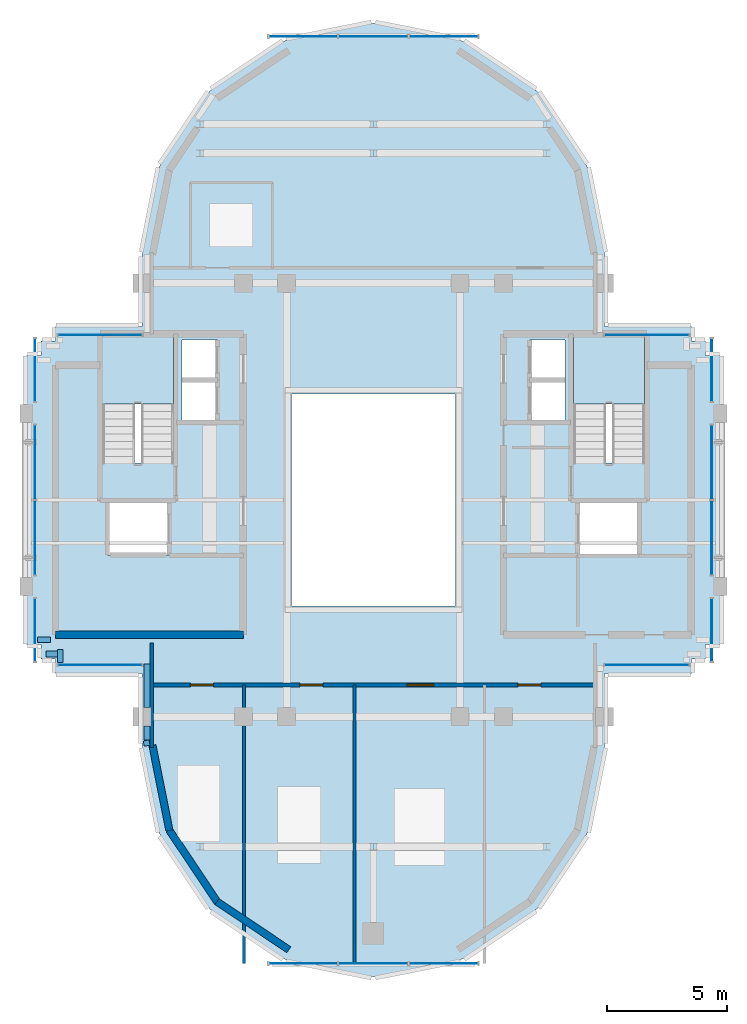
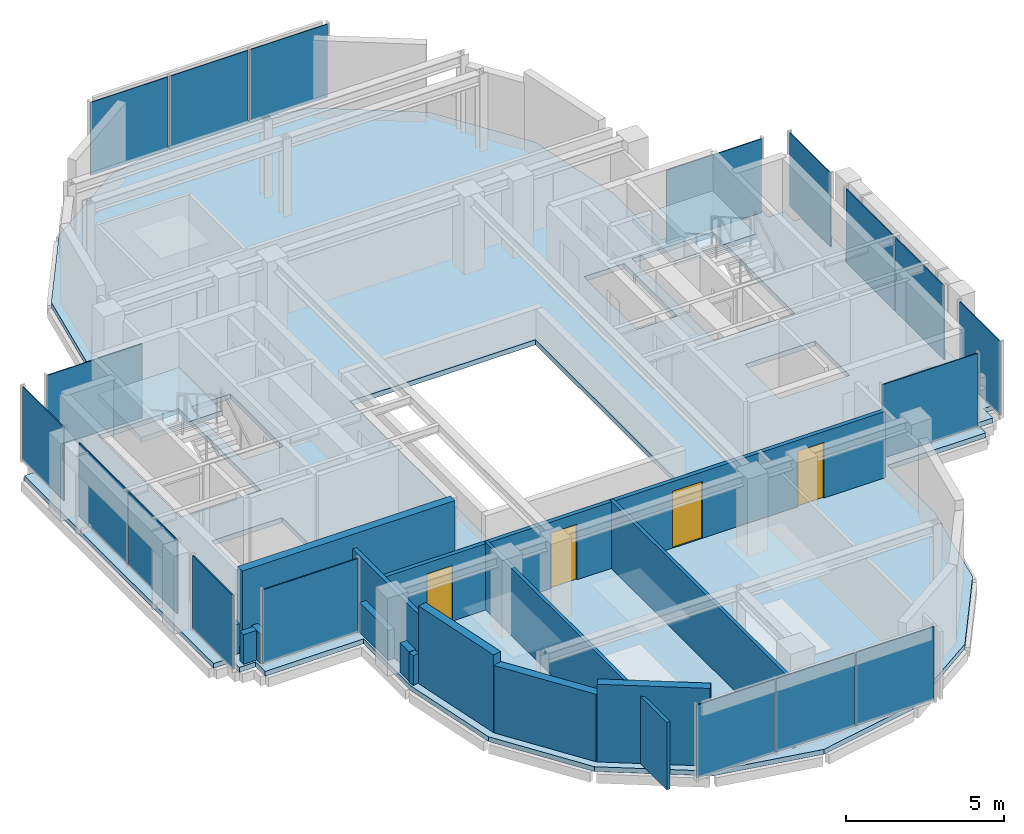
# One storey, part 6 of 11: 18 plates, 14 walls, 4 doors, 3 slabs, 4 openings, 14 elements without a shape of their own.
"""IFC4 building model written with IfcOpenShell, lengths in metres."""

from ifc_helpers import new_model, si_unit, direction, frame, frame_2d, origin, origin_2d, place, context, subcontext, project, spatial, polyline, rectangle, outline, extrude, source, transform, mapped, material, layer, layer_set, type_object, element, fill, aggregate, save


model = new_model("IFC4")

# Units and contexts
model_context = context("Model", 3, precision=1e-05, world=origin(), true_north=direction((0.0, 1.0)))
body_context = subcontext(model_context, "Body", "Model", "MODEL_VIEW")
ifc_project = project(units=[si_unit("LENGTHUNIT", "METRE"), si_unit("AREAUNIT", "SQUARE_METRE"), si_unit("VOLUMEUNIT", "CUBIC_METRE"), si_unit("PLANEANGLEUNIT", "RADIAN"), si_unit("MASSUNIT", "GRAM", prefix="KILO")], contexts=[model_context])

# Site, building, storey
site_placement = place(None, origin())
site = spatial("IfcSite", under=ifc_project, at=site_placement, CompositionType="ELEMENT")
building_placement = place(site_placement, origin())
building = spatial("IfcBuilding", under=site, at=building_placement, Name="Keilestroom Media Tower", CompositionType="ELEMENT")
storey_placement = place(building_placement, frame((0.0, 0.0, 265.199951171875)))
storey = spatial("IfcBuildingStorey", under=building, at=storey_placement, Name="L74", CompositionType="ELEMENT", Elevation=265.199951171875)

# Slab
ifc_material_1 = material(Name="Concrete C50/60", Category="concrete")
ifc_layer_1 = layer(ifc_material_1, 0.18994140625)
ifc_layer_set_1 = layer_set([ifc_layer_1], Name="Concrete C50/60")
slab_type_1 = type_object("IfcSlabType", Name="Composite-Floor-Slab-190", PredefinedType="FLOOR", material=ifc_layer_set_1)
slab_1_placement = place(storey_placement, frame((0.0, 0.0, -0.18994140625)))
element("IfcSlab", 1, at=slab_1_placement, inside=storey, type_object=slab_type_1, Name="L74 Structural Composite Floor Slab", PredefinedType="FLOOR", context=body_context, shape_type="SweptSolid", body=[
    extrude(outline(polyline([(14.39990234375, -6.0), (14.39990234375, 6.0), (13.800048828125, 6.0), (13.800048828125, 6.60009765625), (13.199951171875, 6.60009765625), (13.199951171875, 7.199951171875), (9.60009765625, 7.199951171875), (9.60009765625, 9.60009765625), (9.60009765625, 10.199951171875), (8.869140625, 13.873779296875), (6.7880859375, 16.98828125), (3.673828125, 19.069091796875), (0.0, 19.800048828125), (-3.673828125, 19.069091796875), (-6.7880859375, 16.98828125), (-8.869140625, 13.873779296875), (-9.60009765625, 10.199951171875), (-9.60009765625, 9.60009765625), (-9.60009765625, 7.199951171875), (-13.199951171875, 7.199951171875), (-13.199951171875, 6.60009765625), (-13.800048828125, 6.60009765625), (-13.800048828125, 6.0), (-14.39990234375, 6.0), (-14.39990234375, -6.0), (-13.800048828125, -6.0), (-13.800048828125, -6.60009765625), (-13.199951171875, -6.60009765625), (-13.199951171875, -7.199951171875), (-9.60009765625, -7.199951171875), (-9.60009765625, -9.60009765625), (-9.60009765625, -10.199951171875), (-8.869140625, -13.873779296875), (-6.7880859375, -16.98828125), (-3.673828125, -19.069091796875), (0.0, -19.800048828125), (3.673828125, -19.069091796875), (6.7880859375, -16.98828125), (8.869140625, -13.873779296875), (9.60009765625, -10.199951171875), (9.60009765625, -9.60009765625), (9.60009765625, -7.199951171875), (13.199951171875, -7.199951171875), (13.199951171875, -6.60009765625), (13.800048828125, -6.60009765625), (13.800048828125, -6.0), (14.39990234375, -6.0)]), holes=[polyline([(-8.300048828125, 1.544921875), (-11.260009765625, 1.544921875), (-11.260009765625, 6.760009765625), (-8.300048828125, 6.760009765625), (-8.300048828125, 1.544921875)]), polyline([(-8.47998046875, -2.280029296875), (-11.050048828125, -2.280029296875), (-11.050048828125, -0.10009765625), (-8.47998046875, -0.10009765625), (-8.47998046875, -2.280029296875)]), polyline([(-6.47998046875, 3.300048828125), (-7.949951171875, 3.300048828125), (-7.949951171875, 6.64990234375), (-6.47998046875, 6.64990234375), (-6.47998046875, 3.300048828125)]), polyline([(3.39990234375, -4.39990234375), (-3.39990234375, -4.39990234375), (-3.39990234375, 4.39990234375), (3.39990234375, 4.39990234375), (3.39990234375, -4.39990234375)]), polyline([(7.949951171875, 3.300048828125), (6.47998046875, 3.300048828125), (6.47998046875, 6.64990234375), (7.949951171875, 6.64990234375), (7.949951171875, 3.300048828125)]), polyline([(11.260009765625, 1.544921875), (8.300048828125, 1.544921875), (8.300048828125, 6.760009765625), (11.260009765625, 6.760009765625), (11.260009765625, 1.544921875)]), polyline([(11.050048828125, -2.280029296875), (8.47998046875, -2.280029296875), (8.47998046875, -0.10009765625), (11.050048828125, -0.10009765625), (11.050048828125, -2.280029296875)])]), origin(), (0.0, 0.0, 1.0), 0.18994140625),
])

# Stair, slab
ifc_material_2 = material(Name="Concrete C45/55", Category="concrete")
stair_type = type_object("IfcStairType", Name="Enclosed-Dog-Leg-Stair-ST-CORE", PredefinedType="HALF_TURN_STAIR", material=ifc_material_2)
stair_1_placement = place(storey_placement, origin())
stair_1 = element("IfcStair", 2, at=stair_1_placement, inside=storey, type_object=stair_type, Name="L74 West Core Escape Stair ST-1", PredefinedType="HALF_TURN_STAIR")
ifc_layer_2 = layer(ifc_material_2, 0.199951171875)
ifc_layer_set_2 = layer_set([ifc_layer_2], Name="Concrete C45/55")
slab_type_2 = type_object("IfcSlabType", Name="Stair-Intermediate-And-Top-Landing-Slab-200", PredefinedType="LANDING", material=ifc_layer_set_2)
slab_2_placement = place(storey_placement, frame((0.0, 0.0, 1.400146484375)))
slab_2 = element("IfcSlab", 3, at=slab_2_placement, type_object=slab_type_2, Name="ST-1 landing 1", PredefinedType="LANDING", context=body_context, shape_type="SweptSolid", body=[
    extrude(outline(polyline([(-8.300048828125, 3.99609375), (-8.300048828125, 6.760009765625), (-11.260009765625, 6.760009765625), (-11.260009765625, 3.99609375), (-8.300048828125, 3.99609375)])), origin(), (0.0, 0.0, 1.0), 0.199951171875),
])
aggregate(stair_1, [slab_2])

stair_2_placement = place(storey_placement, origin())
stair_2 = element("IfcStair", 4, at=stair_2_placement, inside=storey, type_object=stair_type, Name="L74 East Core Escape Stair ST-2", PredefinedType="HALF_TURN_STAIR")
slab_3_placement = place(storey_placement, frame((0.0, 0.0, 1.400146484375)))
slab_3 = element("IfcSlab", 5, at=slab_3_placement, type_object=slab_type_2, Name="ST-2 landing 1", PredefinedType="LANDING", context=body_context, shape_type="SweptSolid", body=[
    extrude(outline(polyline([(11.260009765625, 3.99609375), (11.260009765625, 6.760009765625), (8.300048828125, 6.760009765625), (8.300048828125, 3.99609375), (11.260009765625, 3.99609375)])), origin(), (0.0, 0.0, 1.0), 0.199951171875),
])
aggregate(stair_2, [slab_3])

# Curtain wall, plates
ifc_material_3 = material(Name="Anodised Aluminium Alloy", Category="aluminium")
curtain_wall_type_1 = type_object("IfcCurtainWallType", Name="Unitised-Curtain-Wall-CW-6", PredefinedType="NOTDEFINED", material=ifc_material_3)
curtain_wall_1_placement = place(storey_placement, origin())
curtain_wall_1 = element("IfcCurtainWall", 6, at=curtain_wall_1_placement, inside=storey, type_object=curtain_wall_type_1, Name="L74 Curtain Wall CW-6 CW-L74-LN-1", PredefinedType="NOTDEFINED")
ifc_material_4 = material(Name="Curved-Facet Triple Glazed Unit", Category="glass")
ifc_layer_3 = layer(ifc_material_4, 0.033935546875)
ifc_layer_set_3 = layer_set([ifc_layer_3], Name="Curved-Facet Triple Glazed Unit")
plate_type_1 = type_object("IfcPlateType", Name="Insulated-Curtain-Wall-Glazing-Panel-CW-6", PredefinedType="CURTAIN_PANEL", material=ifc_layer_set_3)
shared_shape_1 = source(origin(), body_context, "Body", "SweptSolid", [
    extrude(rectangle(XDim=2.84375, YDim=0.033935546875, at=origin_2d()), origin(), (0.0, 0.0, 1.0), 2.833984375),
])
plate_1_placement = place(storey_placement, frame((-2.9169921875, 19.25, 0.072998046875), z_axis=(0.0, 0.0, 1.0), x_axis=(1.0, 0.0, 0.0)))
plate_1 = element("IfcPlate", 7, at=plate_1_placement, type_object=plate_type_1, Name="CW-6 Unitised Glazing 00", PredefinedType="CURTAIN_PANEL", context=body_context, shape_type="MappedRepresentation", body=[
    mapped(shared_shape_1, transform((0.0, 0.0, 0.0), x_axis=(1.0, 0.0, 0.0), y_axis=(0.0, 1.0, 0.0), z_axis=(0.0, 0.0, 1.0), scale=1.0)),
])
plate_2_placement = place(storey_placement, frame((2.9169921875, 19.25, 0.072998046875), z_axis=(0.0, 0.0, 1.0), x_axis=(1.0, 0.0, 0.0)))
plate_2 = element("IfcPlate", 8, at=plate_2_placement, type_object=plate_type_1, Name="CW-6 Unitised Glazing 02", PredefinedType="CURTAIN_PANEL", context=body_context, shape_type="MappedRepresentation", body=[
    mapped(shared_shape_1, transform((0.0, 0.0, 0.0), x_axis=(1.0, 0.0, 0.0), y_axis=(0.0, 1.0, 0.0), z_axis=(0.0, 0.0, 1.0), scale=1.0)),
])

curtain_wall_2_placement = place(storey_placement, origin())
curtain_wall_2 = element("IfcCurtainWall", 9, at=curtain_wall_2_placement, inside=storey, type_object=curtain_wall_type_1, Name="L74 Curtain Wall CW-6 CW-L74-LS-1", PredefinedType="NOTDEFINED")
plate_3_placement = place(storey_placement, frame((-2.9169921875, -19.25, 0.072998046875), z_axis=(0.0, 0.0, 1.0), x_axis=(1.0, 0.0, 0.0)))
plate_3 = element("IfcPlate", 10, at=plate_3_placement, type_object=plate_type_1, Name="CW-6 Unitised Glazing 00", PredefinedType="CURTAIN_PANEL", context=body_context, shape_type="MappedRepresentation", body=[
    mapped(shared_shape_1, transform((0.0, 0.0, 0.0), x_axis=(1.0, 0.0, 0.0), y_axis=(0.0, 1.0, 0.0), z_axis=(0.0, 0.0, 1.0), scale=1.0)),
])
plate_4_placement = place(storey_placement, frame((2.9169921875, -19.25, 0.072998046875), z_axis=(0.0, 0.0, 1.0), x_axis=(1.0, 0.0, 0.0)))
plate_4 = element("IfcPlate", 11, at=plate_4_placement, type_object=plate_type_1, Name="CW-6 Unitised Glazing 02", PredefinedType="CURTAIN_PANEL", context=body_context, shape_type="MappedRepresentation", body=[
    mapped(shared_shape_1, transform((0.0, 0.0, 0.0), x_axis=(1.0, 0.0, 0.0), y_axis=(0.0, 1.0, 0.0), z_axis=(0.0, 0.0, 1.0), scale=1.0)),
])

# Plate
shared_shape_2 = source(origin(), body_context, "Body", "SweptSolid", [
    extrude(rectangle(XDim=2.876220703125, YDim=0.033935546875, at=origin_2d()), origin(), (0.0, 0.0, 1.0), 2.833984375),
])
plate_5_placement = place(storey_placement, frame((0.0, 19.25, 0.072998046875), z_axis=(0.0, 0.0, 1.0), x_axis=(1.0, 0.0, 0.0)))
plate_5 = element("IfcPlate", 12, at=plate_5_placement, type_object=plate_type_1, Name="CW-6 Unitised Glazing 01", PredefinedType="CURTAIN_PANEL", context=body_context, shape_type="MappedRepresentation", body=[
    mapped(shared_shape_2, transform((0.0, 0.0, 0.0), x_axis=(1.0, 0.0, 0.0), y_axis=(0.0, 1.0, 0.0), z_axis=(0.0, 0.0, 1.0), scale=1.0)),
])

aggregate(curtain_wall_1, [plate_1, plate_5, plate_2])

plate_6_placement = place(storey_placement, frame((0.0, -19.25, 0.072998046875), z_axis=(0.0, 0.0, 1.0), x_axis=(1.0, 0.0, 0.0)))
plate_6 = element("IfcPlate", 13, at=plate_6_placement, type_object=plate_type_1, Name="CW-6 Unitised Glazing 01", PredefinedType="CURTAIN_PANEL", context=body_context, shape_type="MappedRepresentation", body=[
    mapped(shared_shape_2, transform((0.0, 0.0, 0.0), x_axis=(1.0, 0.0, 0.0), y_axis=(0.0, 1.0, 0.0), z_axis=(0.0, 0.0, 1.0), scale=1.0)),
])

aggregate(curtain_wall_2, [plate_3, plate_6, plate_4])

# Curtain wall, plates
curtain_wall_type_2 = type_object("IfcCurtainWallType", Name="Unitised-Curtain-Wall-CW-4", PredefinedType="NOTDEFINED", material=ifc_material_3)
curtain_wall_3_placement = place(storey_placement, origin())
curtain_wall_3 = element("IfcCurtainWall", 14, at=curtain_wall_3_placement, inside=storey, type_object=curtain_wall_type_2, Name="L74 Curtain Wall CW-4 CW-L74-W-2", PredefinedType="NOTDEFINED")
ifc_material_5 = material(Name="Triple Glazed Solar-Control Unit", Category="glass")
ifc_layer_4 = layer(ifc_material_5, 0.035888671875)
ifc_layer_set_4 = layer_set([ifc_layer_4], Name="Triple Glazed Solar-Control Unit")
plate_type_2 = type_object("IfcPlateType", Name="Insulated-Curtain-Wall-Glazing-Panel-CW-4", PredefinedType="CURTAIN_PANEL", material=ifc_layer_set_4)
shared_shape_3 = source(origin(), body_context, "Body", "SweptSolid", [
    extrude(rectangle(XDim=3.0830078125, YDim=0.035888671875, at=origin_2d()), origin(), (0.0, 0.0, 1.0), 2.85400390625),
])
plate_7_placement = place(storey_placement, frame((-14.050048828125, -1.5673828125, 0.06298828125), z_axis=(0.0, 0.0, 1.0), x_axis=(0.0, 1.0, 0.0)))
plate_7 = element("IfcPlate", 15, at=plate_7_placement, type_object=plate_type_2, Name="CW-4 Unitised Glazing 00", PredefinedType="CURTAIN_PANEL", context=body_context, shape_type="MappedRepresentation", body=[
    mapped(shared_shape_3, transform((0.0, 0.0, 0.0), x_axis=(1.0, 0.0, 0.0), y_axis=(0.0, 1.0, 0.0), z_axis=(0.0, 0.0, 1.0), scale=1.0)),
])
plate_8_placement = place(storey_placement, frame((-14.050048828125, 1.5673828125, 0.06298828125), z_axis=(0.0, 0.0, 1.0), x_axis=(0.0, 1.0, 0.0)))
plate_8 = element("IfcPlate", 16, at=plate_8_placement, type_object=plate_type_2, Name="CW-4 Unitised Glazing 01", PredefinedType="CURTAIN_PANEL", context=body_context, shape_type="MappedRepresentation", body=[
    mapped(shared_shape_3, transform((0.0, 0.0, 0.0), x_axis=(1.0, 0.0, 0.0), y_axis=(0.0, 1.0, 0.0), z_axis=(0.0, 0.0, 1.0), scale=1.0)),
])
aggregate(curtain_wall_3, [plate_7, plate_8])

curtain_wall_4_placement = place(storey_placement, origin())
curtain_wall_4 = element("IfcCurtainWall", 17, at=curtain_wall_4_placement, inside=storey, type_object=curtain_wall_type_2, Name="L74 Curtain Wall CW-4 CW-L74-E-2", PredefinedType="NOTDEFINED")
plate_9_placement = place(storey_placement, frame((14.050048828125, -1.5673828125, 0.06298828125), z_axis=(0.0, 0.0, 1.0), x_axis=(0.0, 1.0, 0.0)))
plate_9 = element("IfcPlate", 18, at=plate_9_placement, type_object=plate_type_2, Name="CW-4 Unitised Glazing 00", PredefinedType="CURTAIN_PANEL", context=body_context, shape_type="MappedRepresentation", body=[
    mapped(shared_shape_3, transform((0.0, 0.0, 0.0), x_axis=(1.0, 0.0, 0.0), y_axis=(0.0, 1.0, 0.0), z_axis=(0.0, 0.0, 1.0), scale=1.0)),
])
plate_10_placement = place(storey_placement, frame((14.050048828125, 1.5673828125, 0.06298828125), z_axis=(0.0, 0.0, 1.0), x_axis=(0.0, 1.0, 0.0)))
plate_10 = element("IfcPlate", 19, at=plate_10_placement, type_object=plate_type_2, Name="CW-4 Unitised Glazing 01", PredefinedType="CURTAIN_PANEL", context=body_context, shape_type="MappedRepresentation", body=[
    mapped(shared_shape_3, transform((0.0, 0.0, 0.0), x_axis=(1.0, 0.0, 0.0), y_axis=(0.0, 1.0, 0.0), z_axis=(0.0, 0.0, 1.0), scale=1.0)),
])
aggregate(curtain_wall_4, [plate_9, plate_10])

# Curtain wall, plate
curtain_wall_5_placement = place(storey_placement, origin())
curtain_wall_5 = element("IfcCurtainWall", 20, at=curtain_wall_5_placement, inside=storey, type_object=curtain_wall_type_2, Name="L74 Curtain Wall CW-4 CW-L74-W-1", PredefinedType="NOTDEFINED")
shared_shape_4 = source(origin(), body_context, "Body", "SweptSolid", [
    extrude(rectangle(XDim=2.60302734375, YDim=0.035888671875, at=origin_2d()), origin(), (0.0, 0.0, 1.0), 2.85400390625),
])
plate_11_placement = place(storey_placement, frame((-14.050048828125, -5.392578125, 0.06298828125), z_axis=(0.0, 0.0, 1.0), x_axis=(0.0, 1.0, 0.0)))
plate_11 = element("IfcPlate", 21, at=plate_11_placement, type_object=plate_type_2, Name="CW-4 Unitised Glazing 00", PredefinedType="CURTAIN_PANEL", context=body_context, shape_type="MappedRepresentation", body=[
    mapped(shared_shape_4, transform((0.0, 0.0, 0.0), x_axis=(1.0, 0.0, 0.0), y_axis=(0.0, 1.0, 0.0), z_axis=(0.0, 0.0, 1.0), scale=1.0)),
])
aggregate(curtain_wall_5, [plate_11])

curtain_wall_6_placement = place(storey_placement, origin())
curtain_wall_6 = element("IfcCurtainWall", 22, at=curtain_wall_6_placement, inside=storey, type_object=curtain_wall_type_2, Name="L74 Curtain Wall CW-4 CW-L74-W-3", PredefinedType="NOTDEFINED")
plate_12_placement = place(storey_placement, frame((-14.050048828125, 5.392578125, 0.06298828125), z_axis=(0.0, 0.0, 1.0), x_axis=(0.0, 1.0, 0.0)))
plate_12 = element("IfcPlate", 23, at=plate_12_placement, type_object=plate_type_2, Name="CW-4 Unitised Glazing 00", PredefinedType="CURTAIN_PANEL", context=body_context, shape_type="MappedRepresentation", body=[
    mapped(shared_shape_4, transform((0.0, 0.0, 0.0), x_axis=(1.0, 0.0, 0.0), y_axis=(0.0, 1.0, 0.0), z_axis=(0.0, 0.0, 1.0), scale=1.0)),
])
aggregate(curtain_wall_6, [plate_12])

curtain_wall_7_placement = place(storey_placement, origin())
curtain_wall_7 = element("IfcCurtainWall", 24, at=curtain_wall_7_placement, inside=storey, type_object=curtain_wall_type_2, Name="L74 Curtain Wall CW-4 CW-L74-E-1", PredefinedType="NOTDEFINED")
plate_13_placement = place(storey_placement, frame((14.050048828125, -5.392578125, 0.06298828125), z_axis=(0.0, 0.0, 1.0), x_axis=(0.0, 1.0, 0.0)))
plate_13 = element("IfcPlate", 25, at=plate_13_placement, type_object=plate_type_2, Name="CW-4 Unitised Glazing 00", PredefinedType="CURTAIN_PANEL", context=body_context, shape_type="MappedRepresentation", body=[
    mapped(shared_shape_4, transform((0.0, 0.0, 0.0), x_axis=(1.0, 0.0, 0.0), y_axis=(0.0, 1.0, 0.0), z_axis=(0.0, 0.0, 1.0), scale=1.0)),
])
aggregate(curtain_wall_7, [plate_13])

curtain_wall_8_placement = place(storey_placement, origin())
curtain_wall_8 = element("IfcCurtainWall", 26, at=curtain_wall_8_placement, inside=storey, type_object=curtain_wall_type_2, Name="L74 Curtain Wall CW-4 CW-L74-E-3", PredefinedType="NOTDEFINED")
plate_14_placement = place(storey_placement, frame((14.050048828125, 5.392578125, 0.06298828125), z_axis=(0.0, 0.0, 1.0), x_axis=(0.0, 1.0, 0.0)))
plate_14 = element("IfcPlate", 27, at=plate_14_placement, type_object=plate_type_2, Name="CW-4 Unitised Glazing 00", PredefinedType="CURTAIN_PANEL", context=body_context, shape_type="MappedRepresentation", body=[
    mapped(shared_shape_4, transform((0.0, 0.0, 0.0), x_axis=(1.0, 0.0, 0.0), y_axis=(0.0, 1.0, 0.0), z_axis=(0.0, 0.0, 1.0), scale=1.0)),
])
aggregate(curtain_wall_8, [plate_14])

curtain_wall_9_placement = place(storey_placement, origin())
curtain_wall_9 = element("IfcCurtainWall", 28, at=curtain_wall_9_placement, inside=storey, type_object=curtain_wall_type_2, Name="L74 Curtain Wall CW-4 CW-L74-NW-1", PredefinedType="NOTDEFINED")
shared_shape_5 = source(origin(), body_context, "Body", "SweptSolid", [
    extrude(rectangle(XDim=3.488037109375, YDim=0.035888671875, at=origin_2d()), origin(), (0.0, 0.0, 1.0), 2.85400390625),
])
plate_15_placement = place(storey_placement, frame((-11.35009765625, 6.85009765625, 0.06298828125), z_axis=(0.0, 0.0, 1.0), x_axis=(1.0, 0.0, 0.0)))
plate_15 = element("IfcPlate", 29, at=plate_15_placement, type_object=plate_type_2, Name="CW-4 Unitised Glazing 00", PredefinedType="CURTAIN_PANEL", context=body_context, shape_type="MappedRepresentation", body=[
    mapped(shared_shape_5, transform((0.0, 0.0, 0.0), x_axis=(1.0, 0.0, 0.0), y_axis=(0.0, 1.0, 0.0), z_axis=(0.0, 0.0, 1.0), scale=1.0)),
])
aggregate(curtain_wall_9, [plate_15])

curtain_wall_10_placement = place(storey_placement, origin())
curtain_wall_10 = element("IfcCurtainWall", 30, at=curtain_wall_10_placement, inside=storey, type_object=curtain_wall_type_2, Name="L74 Curtain Wall CW-4 CW-L74-NE-1", PredefinedType="NOTDEFINED")
plate_16_placement = place(storey_placement, frame((11.35009765625, 6.85009765625, 0.06298828125), z_axis=(0.0, 0.0, 1.0), x_axis=(1.0, 0.0, 0.0)))
plate_16 = element("IfcPlate", 31, at=plate_16_placement, type_object=plate_type_2, Name="CW-4 Unitised Glazing 00", PredefinedType="CURTAIN_PANEL", context=body_context, shape_type="MappedRepresentation", body=[
    mapped(shared_shape_5, transform((0.0, 0.0, 0.0), x_axis=(1.0, 0.0, 0.0), y_axis=(0.0, 1.0, 0.0), z_axis=(0.0, 0.0, 1.0), scale=1.0)),
])
aggregate(curtain_wall_10, [plate_16])

curtain_wall_11_placement = place(storey_placement, origin())
curtain_wall_11 = element("IfcCurtainWall", 32, at=curtain_wall_11_placement, inside=storey, type_object=curtain_wall_type_2, Name="L74 Curtain Wall CW-4 CW-L74-SW-1", PredefinedType="NOTDEFINED")
plate_17_placement = place(storey_placement, frame((-11.35009765625, -6.85009765625, 0.06298828125), z_axis=(0.0, 0.0, 1.0), x_axis=(1.0, 0.0, 0.0)))
plate_17 = element("IfcPlate", 33, at=plate_17_placement, type_object=plate_type_2, Name="CW-4 Unitised Glazing 00", PredefinedType="CURTAIN_PANEL", context=body_context, shape_type="MappedRepresentation", body=[
    mapped(shared_shape_5, transform((0.0, 0.0, 0.0), x_axis=(1.0, 0.0, 0.0), y_axis=(0.0, 1.0, 0.0), z_axis=(0.0, 0.0, 1.0), scale=1.0)),
])
aggregate(curtain_wall_11, [plate_17])

curtain_wall_12_placement = place(storey_placement, origin())
curtain_wall_12 = element("IfcCurtainWall", 34, at=curtain_wall_12_placement, inside=storey, type_object=curtain_wall_type_2, Name="L74 Curtain Wall CW-4 CW-L74-SE-1", PredefinedType="NOTDEFINED")
plate_18_placement = place(storey_placement, frame((11.35009765625, -6.85009765625, 0.06298828125), z_axis=(0.0, 0.0, 1.0), x_axis=(1.0, 0.0, 0.0)))
plate_18 = element("IfcPlate", 35, at=plate_18_placement, type_object=plate_type_2, Name="CW-4 Unitised Glazing 00", PredefinedType="CURTAIN_PANEL", context=body_context, shape_type="MappedRepresentation", body=[
    mapped(shared_shape_5, transform((0.0, 0.0, 0.0), x_axis=(1.0, 0.0, 0.0), y_axis=(0.0, 1.0, 0.0), z_axis=(0.0, 0.0, 1.0), scale=1.0)),
])
aggregate(curtain_wall_12, [plate_18])

# Walls
ifc_material_6 = material(Name="Precast concrete C40/50", Category="concrete")
ifc_layer_5 = layer(ifc_material_6, 0.300048828125)
ifc_layer_set_5 = layer_set([ifc_layer_5], Name="Precast concrete C40/50")
wall_type_1 = type_object("IfcWallType", Name="Exterior-Masonry-Spandrel-Wall-300", PredefinedType="SOLIDWALL", material=ifc_layer_set_5)
wall_1_placement = place(storey_placement, frame((-9.1748046875, -10.185302734375, 0.0), z_axis=(0.0, 0.0, 1.0), x_axis=(0.195114232679, -0.980780523974, 0.0)))
element("IfcWall", 36, at=wall_1_placement, inside=storey, type_object=wall_type_1, Name="L74 Lobe Facet Precast Frame Wall 07", PredefinedType="SOLIDWALL", context=body_context, shape_type="SweptSolid", body=[
    extrude(rectangle(XDim=3.608642578125, YDim=0.300048828125, at=frame_2d((1.80419921875, 0.0))), origin(), (0.0, 0.0, 1.0), 3.010009765625),
])
wall_2_placement = place(storey_placement, frame((-8.48193359375, -13.697509765625, 0.0), z_axis=(0.0, 0.0, 1.0), x_axis=(0.555574187116, -0.831466970246, 0.0)))
element("IfcWall", 37, at=wall_2_placement, inside=storey, type_object=wall_type_1, Name="L74 Lobe Facet Precast Frame Wall 08", PredefinedType="SOLIDWALL", context=body_context, shape_type="SweptSolid", body=[
    extrude(rectangle(XDim=3.608642578125, YDim=0.300048828125, at=frame_2d((1.80419921875, 0.0))), origin(), (0.0, 0.0, 1.0), 2.610107421875),
])
wall_3_placement = place(storey_placement, frame((-6.497802734375, -16.677001953125, 0.0), z_axis=(0.0, 0.0, 1.0), x_axis=(0.831443568068, -0.555609208993, 0.0)))
element("IfcWall", 38, at=wall_3_placement, inside=storey, type_object=wall_type_1, Name="L74 Lobe Facet Precast Frame Wall 09", PredefinedType="SOLIDWALL", context=body_context, shape_type="SweptSolid", body=[
    extrude(rectangle(XDim=3.593505859375, YDim=0.300048828125, at=frame_2d((1.796875, 0.0))), origin(), (0.0, 0.0, 1.0), 3.010009765625),
])
ifc_material_7 = material(Name="Gypsum Plasterboard & Steel Stud", Category="steel")
ifc_layer_6 = layer(ifc_material_7, 0.1201171875)
ifc_layer_set_6 = layer_set([ifc_layer_6], Name="Gypsum Plasterboard & Steel Stud")
wall_type_2 = type_object("IfcWallType", Name="Interior-Partition-Wall-120", PredefinedType="PARTITIONING", material=ifc_layer_set_6)
for number, where, z_axis, x_axis, name in (
    (39, (-5.3798828125, -19.25, 0.0), (0.0, 0.0, 1.0), (0.0, 1.0, 0.0), "L74 Interior Wall WP-L74-SL-QV1"),
    (40, (-0.780029296875, -19.25, 0.0), (0.0, 0.0, 1.0), (0.0, 1.0, 0.0), "L74 Interior Wall WP-L74-SL-QV2"),
):
    element("IfcWall", number, at=place(storey_placement, frame(where, z_axis=z_axis, x_axis=x_axis)), inside=storey, type_object=wall_type_2, Name=name, PredefinedType="PARTITIONING", context=body_context, shape_type="SweptSolid", body=[
        extrude(rectangle(XDim=11.570068359375, YDim=0.1201171875, at=frame_2d((5.78515625, 0.0))), origin(), (0.0, 0.0, 1.0), 2.610107421875),
    ])

# Wall, openings, doors
ifc_layer_7 = layer(ifc_material_7, 0.14990234375)
ifc_layer_set_7 = layer_set([ifc_layer_7], Name="Gypsum Plasterboard & Steel Stud")
wall_type_3 = type_object("IfcWallType", Name="Interior-Partition-Wall-150", PredefinedType="PARTITIONING", material=ifc_layer_set_7)
wall_4_placement = place(storey_placement, frame((-9.199951171875, -7.679931640625, 0.0), z_axis=(0.0, 0.0, 1.0), x_axis=(1.0, 0.0, 0.0)))
wall_4 = element("IfcWall", 41, at=wall_4_placement, inside=storey, type_object=wall_type_3, Name="L74 Interior Wall WP-L74-SL-BASE", PredefinedType="PARTITIONING", context=body_context, shape_type="SweptSolid", body=[
    extrude(rectangle(XDim=18.39990234375, YDim=0.14990234375, at=frame_2d((9.199951171875, 0.0))), origin(), (0.0, 0.0, 1.0), 2.570068359375),
])
opening_1_placement = place(wall_4_placement, frame((1.60009765625, 0.0, 0.0)))
opening_1 = element("IfcOpeningElement", 42, at=opening_1_placement, cuts=wall_4, Name="Opening DI-03", PredefinedType="OPENING", context=body_context, shape_type="SweptSolid", body=[
    extrude(rectangle(XDim=0.949951171875, YDim=2.14990234375, at=frame_2d((0.47509765625, 1.074951171875))), frame((0.0, 0.0849609375, 0.0), z_axis=(0.0, -1.0, 0.0), x_axis=(1.0, 0.0, 0.0)), (0.0, 0.0, 1.0), 0.169921875),
])
opening_2_placement = place(wall_4_placement, frame((6.14990234375, 0.0, 0.0)))
opening_2 = element("IfcOpeningElement", 43, at=opening_2_placement, cuts=wall_4, Name="Opening DI-03", PredefinedType="OPENING", context=body_context, shape_type="SweptSolid", body=[
    extrude(rectangle(XDim=0.949951171875, YDim=2.14990234375, at=frame_2d((0.47509765625, 1.074951171875))), frame((0.0, 0.0849609375, 0.0), z_axis=(0.0, -1.0, 0.0), x_axis=(1.0, 0.0, 0.0)), (0.0, 0.0, 1.0), 0.169921875),
])
opening_3_placement = place(wall_4_placement, frame((10.60009765625, 0.0, 0.0)))
opening_3 = element("IfcOpeningElement", 44, at=opening_3_placement, cuts=wall_4, Name="Opening DI-04", PredefinedType="OPENING", context=body_context, shape_type="SweptSolid", body=[
    extrude(rectangle(XDim=1.10009765625, YDim=2.199951171875, at=frame_2d((0.550048828125, 1.10009765625))), frame((0.0, 0.0849609375, 0.0), z_axis=(0.0, -1.0, 0.0), x_axis=(1.0, 0.0, 0.0)), (0.0, 0.0, 1.0), 0.169921875),
])
opening_4_placement = place(wall_4_placement, frame((15.199951171875, 0.0, 0.0)))
opening_4 = element("IfcOpeningElement", 45, at=opening_4_placement, cuts=wall_4, Name="Opening DI-03", PredefinedType="OPENING", context=body_context, shape_type="SweptSolid", body=[
    extrude(rectangle(XDim=0.949951171875, YDim=2.14990234375, at=frame_2d((0.47509765625, 1.074951171875))), frame((0.0, 0.0849609375, 0.0), z_axis=(0.0, -1.0, 0.0), x_axis=(1.0, 0.0, 0.0)), (0.0, 0.0, 1.0), 0.169921875),
])
ifc_material_8 = material(Name="Lacquered European Oak Leaf", Category="wood")
door_type_1 = type_object("IfcDoorType", Name="Interior-Room-And-Suite-Door-DI-03", OperationType="NOTDEFINED", PredefinedType="DOOR", material=ifc_material_8)
shared_shape_6 = source(origin(), body_context, "Body", "SweptSolid", [
    extrude(rectangle(XDim=0.949951171875, YDim=2.14990234375, at=frame_2d((0.47509765625, 1.074951171875))), frame((0.0, 0.02490234375, 0.0), z_axis=(0.0, -1.0, 0.0), x_axis=(1.0, 0.0, 0.0)), (0.0, 0.0, 1.0), 0.050048828125),
])
door_1_placement = place(opening_1_placement, origin())
door_1 = element("IfcDoor", 46, at=door_1_placement, inside=storey, type_object=door_type_1, Name="L74 Interior Door DI-L74-DSL-Q1", OperationType="SINGLE_SWING_LEFT", OverallHeight=2.14990234375, OverallWidth=0.949951171875, PredefinedType="DOOR", context=body_context, shape_type="MappedRepresentation", body=[
    mapped(shared_shape_6, transform((0.0, 0.0, 0.0), x_axis=(1.0, 0.0, 0.0), y_axis=(0.0, 1.0, 0.0), z_axis=(0.0, 0.0, 1.0), scale=1.0)),
])
fill(opening_1, door_1)
door_2_placement = place(opening_2_placement, origin())
door_2 = element("IfcDoor", 47, at=door_2_placement, inside=storey, type_object=door_type_1, Name="L74 Interior Door DI-L74-DSL-Q2", OperationType="SINGLE_SWING_RIGHT", OverallHeight=2.14990234375, OverallWidth=0.949951171875, PredefinedType="DOOR", context=body_context, shape_type="MappedRepresentation", body=[
    mapped(shared_shape_6, transform((0.0, 0.0, 0.0), x_axis=(1.0, 0.0, 0.0), y_axis=(0.0, 1.0, 0.0), z_axis=(0.0, 0.0, 1.0), scale=1.0)),
])
fill(opening_2, door_2)
door_3_placement = place(opening_4_placement, origin())
door_3 = element("IfcDoor", 48, at=door_3_placement, inside=storey, type_object=door_type_1, Name="L74 Interior Door DI-L74-DSL-Q4", OperationType="SINGLE_SWING_RIGHT", OverallHeight=2.14990234375, OverallWidth=0.949951171875, PredefinedType="DOOR", context=body_context, shape_type="MappedRepresentation", body=[
    mapped(shared_shape_6, transform((0.0, 0.0, 0.0), x_axis=(1.0, 0.0, 0.0), y_axis=(0.0, 1.0, 0.0), z_axis=(0.0, 0.0, 1.0), scale=1.0)),
])
fill(opening_4, door_3)
ifc_material_9 = material(Name="Acoustic Glazed Aluminium Leaf", Category="aluminium")
door_type_2 = type_object("IfcDoorType", Name="Interior-Room-And-Suite-Door-DI-04", OperationType="NOTDEFINED", PredefinedType="DOOR", material=ifc_material_9)
shared_shape_7 = source(origin(), body_context, "Body", "SweptSolid", [
    extrude(rectangle(XDim=1.10009765625, YDim=2.199951171875, at=frame_2d((0.550048828125, 1.10009765625))), frame((0.0, 0.02490234375, 0.0), z_axis=(0.0, -1.0, 0.0), x_axis=(1.0, 0.0, 0.0)), (0.0, 0.0, 1.0), 0.050048828125),
])
door_4_placement = place(opening_3_placement, origin())
door_4 = element("IfcDoor", 49, at=door_4_placement, inside=storey, type_object=door_type_2, Name="L74 Interior Door DI-L74-DSL-Q3", OperationType="SINGLE_SWING_LEFT", OverallHeight=2.199951171875, OverallWidth=1.10009765625, PredefinedType="DOOR", context=body_context, shape_type="MappedRepresentation", body=[
    mapped(shared_shape_7, transform((0.0, 0.0, 0.0), x_axis=(1.0, 0.0, 0.0), y_axis=(0.0, 1.0, 0.0), z_axis=(0.0, 0.0, 1.0), scale=1.0)),
])
fill(opening_3, door_4)

# Walls
wall_5_placement = place(storey_placement, frame((-9.199951171875, -10.280029296875, 0.0), z_axis=(0.0, 0.0, 1.0), x_axis=(0.0, 1.0, 0.0)))
element("IfcWall", 50, at=wall_5_placement, inside=storey, type_object=wall_type_3, Name="L74 Interior Wall WP-L74-SL-CHKW", PredefinedType="PARTITIONING", context=body_context, shape_type="SweptSolid", body=[
    extrude(rectangle(XDim=4.340087890625, YDim=0.14990234375, at=frame_2d((2.169921875, 0.0))), origin(), (0.0, 0.0, 1.0), 2.610107421875),
])
ifc_layer_8 = layer(ifc_material_1, 0.300048828125)
ifc_layer_set_8 = layer_set([ifc_layer_8], Name="Concrete C50/60")
wall_type_4 = type_object("IfcWallType", Name="Reinforced-Concrete-Core-Shear-Wall-300", PredefinedType="SHEAR", material=ifc_layer_set_8)
wall_6_placement = place(storey_placement, frame((-13.199951171875, -5.60009765625, 0.0), z_axis=(0.0, 0.0, 1.0), x_axis=(1.0, 0.0, 0.0)))
element("IfcWall", 51, at=wall_6_placement, inside=storey, type_object=wall_type_4, Name="L74 Core Shear Wall WL-L74-CORE-W-S", PredefinedType="SHEAR", context=body_context, shape_type="SweptSolid", body=[
    extrude(rectangle(XDim=7.800048828125, YDim=0.300048828125, at=frame_2d((3.89990234375, 0.0))), origin(), (0.0, 0.0, 1.0), 3.010009765625),
])
ifc_layer_9 = layer(ifc_material_6, 0.239990234375)
ifc_layer_set_9 = layer_set([ifc_layer_9], Name="Precast concrete C40/50")
wall_type_5 = type_object("IfcWallType", Name="Roof-And-Terrace-Parapet-Wall-240", PredefinedType="PARAPET", material=ifc_layer_set_9)
wall_7_placement = place(storey_placement, frame((-9.395263671875, -10.2041015625, 0.0), z_axis=(0.0, 0.0, 1.0), x_axis=(-0.194859894132, 0.980831087221, 0.0)))
element("IfcWall", 52, at=wall_7_placement, inside=storey, type_object=wall_type_5, Name="L74 Perimeter Edge Parapet Wall 07", PredefinedType="PARAPET", context=body_context, shape_type="SweptSolid", body=[
    extrude(rectangle(XDim=0.224365234375, YDim=0.239990234375, at=frame_2d((0.1123046875, 0.0))), origin(), (0.0, 0.0, 1.0), 1.150146484375),
])
wall_8_placement = place(storey_placement, frame((-9.39990234375, -9.957763671875, 0.0), z_axis=(0.0, 0.0, 1.0), x_axis=(0.0, 1.0, 0.0)))
element("IfcWall", 53, at=wall_8_placement, inside=storey, type_object=wall_type_5, Name="L74 Perimeter Edge Parapet Wall 08", PredefinedType="PARAPET", context=body_context, shape_type="SweptSolid", body=[
    extrude(rectangle(XDim=0.579833984375, YDim=0.239990234375, at=frame_2d((0.2900390625, 0.0))), origin(), (0.0, 0.0, 1.0), 1.150146484375),
])
wall_9_placement = place(storey_placement, frame((-9.39990234375, -8.6220703125, 0.0), z_axis=(0.0, 0.0, 1.0), x_axis=(0.0, 1.0, 0.0)))
element("IfcWall", 54, at=wall_9_placement, inside=storey, type_object=wall_type_5, Name="L74 Perimeter Edge Parapet Wall 09", PredefinedType="PARAPET", context=body_context, shape_type="SweptSolid", body=[
    extrude(rectangle(XDim=1.802978515625, YDim=0.239990234375, at=frame_2d((0.9013671875, 0.0))), origin(), (0.0, 0.0, 1.0), 1.150146484375),
])
wall_10_placement = place(storey_placement, frame((-13.0, -6.757080078125, 0.0), z_axis=(0.0, 0.0, 1.0), x_axis=(0.0, 1.0, 0.0)))
element("IfcWall", 55, at=wall_10_placement, inside=storey, type_object=wall_type_5, Name="L74 Perimeter Edge Parapet Wall 10", PredefinedType="PARAPET", context=body_context, shape_type="SweptSolid", body=[
    extrude(rectangle(XDim=0.55712890625, YDim=0.239990234375, at=frame_2d((0.278564453125, 0.0))), origin(), (0.0, 0.0, 1.0), 1.150146484375),
])
wall_11_placement = place(storey_placement, frame((-13.123046875, -6.39990234375, 0.0), z_axis=(0.0, 0.0, 1.0), x_axis=(-1.0, 0.0, 0.0)))
element("IfcWall", 56, at=wall_11_placement, inside=storey, type_object=wall_type_5, Name="L74 Perimeter Edge Parapet Wall 11", PredefinedType="PARAPET", context=body_context, shape_type="SweptSolid", body=[
    extrude(rectangle(XDim=0.47705078125, YDim=0.239990234375, at=frame_2d((0.238525390625, 0.0))), origin(), (0.0, 0.0, 1.0), 1.150146484375),
])
wall_12_placement = place(storey_placement, frame((-13.39990234375, -5.800048828125, 0.0), z_axis=(0.0, 0.0, 1.0), x_axis=(-1.0, 0.0, 0.0)))
element("IfcWall", 57, at=wall_12_placement, inside=storey, type_object=wall_type_5, Name="L74 Perimeter Edge Parapet Wall 12", PredefinedType="PARAPET", context=body_context, shape_type="SweptSolid", body=[
    extrude(rectangle(XDim=0.55712890625, YDim=0.239990234375, at=frame_2d((0.278564453125, 0.0))), origin(), (0.0, 0.0, 1.0), 1.150146484375),
])

save(model, "model.ifc")
